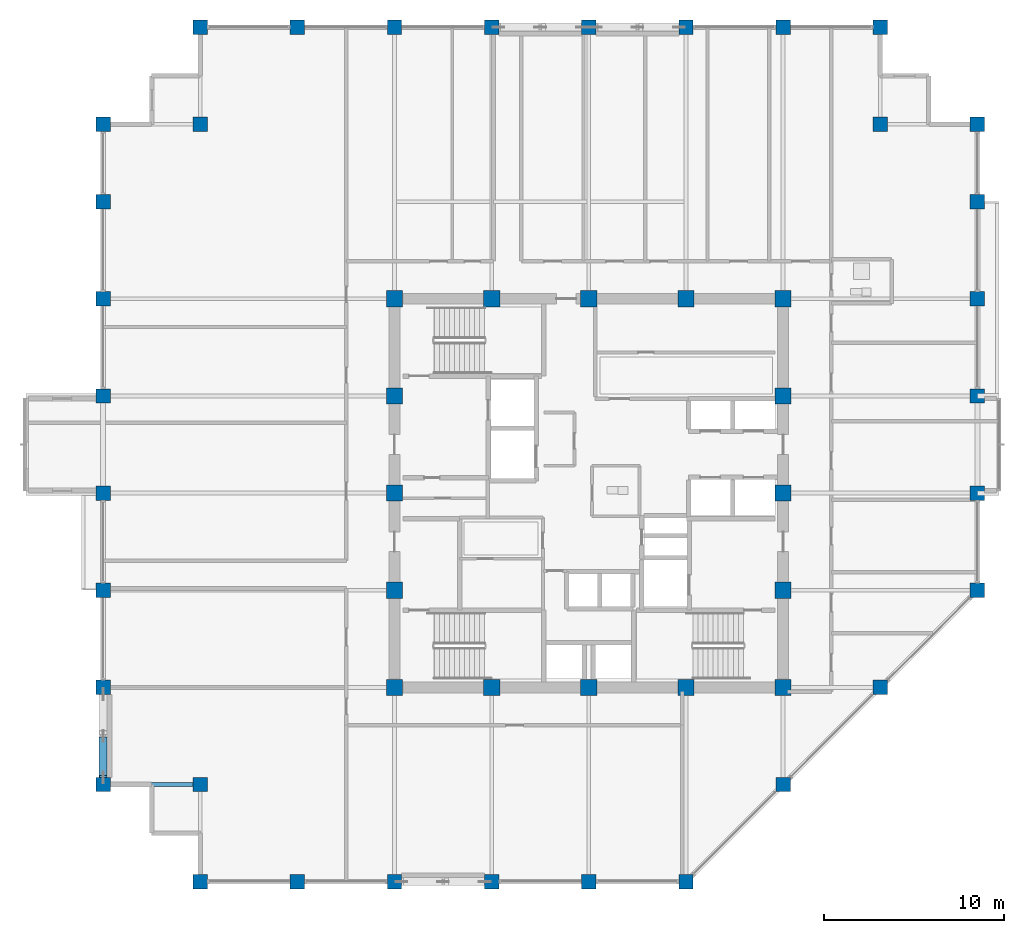
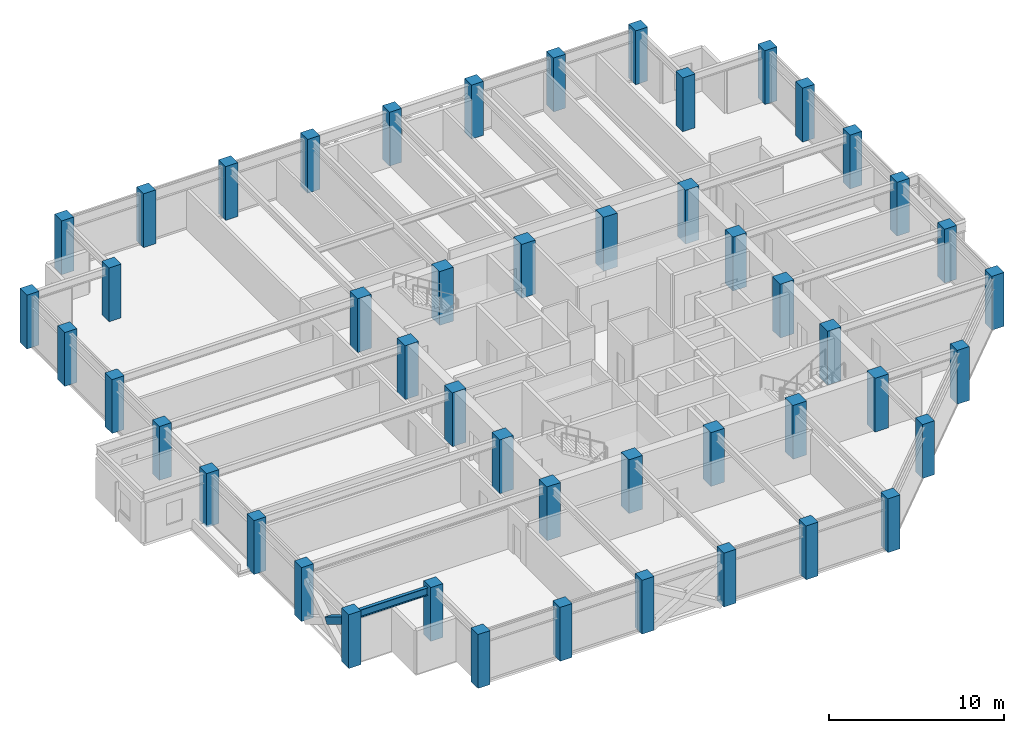
# One storey, part 1 of 28: 49 columns, 1 beam, 1 member.
"""IFC4 building model written with IfcOpenShell, lengths in metres."""

from ifc_helpers import new_model, si_unit, direction, frame, origin, origin_2d, place, context, subcontext, project, spatial, rectangle, hollow_rectangle, i_section, extrude, material, material_profile, profile_set, type_object, element, save


model = new_model("IFC4")

# Units and contexts
model_context = context("Model", 3, precision=1e-05, world=origin(), true_north=direction((0.0, 1.0)))
body_context = subcontext(model_context, "Body", "Model", "MODEL_VIEW")
ifc_project = project(units=[si_unit("LENGTHUNIT", "METRE"), si_unit("AREAUNIT", "SQUARE_METRE"), si_unit("VOLUMEUNIT", "CUBIC_METRE"), si_unit("PLANEANGLEUNIT", "RADIAN"), si_unit("MASSUNIT", "GRAM", prefix="KILO")], contexts=[model_context])

# Site, building, storey
site_placement = place(None, origin())
site = spatial("IfcSite", under=ifc_project, at=site_placement, CompositionType="ELEMENT")
building_placement = place(site_placement, origin())
building = spatial("IfcBuilding", under=site, at=building_placement, Name="Surkhivell Harbour Commons", CompositionType="ELEMENT")
storey_placement = place(building_placement, frame((0.0, 0.0, 238.5)))
storey = spatial("IfcBuildingStorey", under=building, at=storey_placement, Name="L62", CompositionType="ELEMENT", Elevation=238.5)

# Columns
ifc_material_1 = material(Name="Concrete C60/75", Category="concrete")
ifc_material_profile_1 = material_profile(ifc_material_1, rectangle(XDim=0.89990234375, YDim=0.89990234375, at=origin_2d()), Name="RC-COL-900x900")
ifc_profile_set_1 = profile_set([ifc_material_profile_1], Name="Concrete C60/75")
column_type_1 = type_object("IfcColumnType", Name="COL-TUBE-Z3A", PredefinedType="COLUMN", material=ifc_profile_set_1)
for number, where, z_axis, x_axis, name in (
    (1, (-10.800048828125, -10.800048828125, 0.0), (0.0, 0.0, 1.0), (1.0, 0.0, 0.0), "L62 Column CT-3A (-10.8,-10.8)"),
    (2, (-10.800048828125, -5.39990234375, 0.0), (0.0, 0.0, 1.0), (1.0, 0.0, 0.0), "L62 Column CT-3A (-10.8,-5.4)"),
    (3, (-10.800048828125, 0.0, 0.0), (0.0, 0.0, 1.0), (1.0, 0.0, 0.0), "L62 Column CT-3A (-10.8,0.0)"),
    (4, (-10.800048828125, 5.39990234375, 0.0), (0.0, 0.0, 1.0), (1.0, 0.0, 0.0), "L62 Column CT-3A (-10.8,5.4)"),
    (5, (-10.800048828125, 10.800048828125, 0.0), (0.0, 0.0, 1.0), (1.0, 0.0, 0.0), "L62 Column CT-3A (-10.8,10.8)"),
    (6, (-5.39990234375, -10.800048828125, 0.0), (0.0, 0.0, 1.0), (1.0, 0.0, 0.0), "L62 Column CT-3A (-5.4,-10.8)"),
    (7, (-5.39990234375, 10.800048828125, 0.0), (0.0, 0.0, 1.0), (1.0, 0.0, 0.0), "L62 Column CT-3A (-5.4,10.8)"),
    (8, (0.0, -10.800048828125, 0.0), (0.0, 0.0, 1.0), (1.0, 0.0, 0.0), "L62 Column CT-3A (0.0,-10.8)"),
    (9, (0.0, 10.800048828125, 0.0), (0.0, 0.0, 1.0), (1.0, 0.0, 0.0), "L62 Column CT-3A (0.0,10.8)"),
    (10, (5.39990234375, -10.800048828125, 0.0), (0.0, 0.0, 1.0), (1.0, 0.0, 0.0), "L62 Column CT-3A (5.4,-10.8)"),
    (11, (5.39990234375, 10.800048828125, 0.0), (0.0, 0.0, 1.0), (1.0, 0.0, 0.0), "L62 Column CT-3A (5.4,10.8)"),
    (12, (10.800048828125, -10.800048828125, 0.0), (0.0, 0.0, 1.0), (1.0, 0.0, 0.0), "L62 Column CT-3A (10.8,-10.8)"),
    (13, (10.800048828125, -5.39990234375, 0.0), (0.0, 0.0, 1.0), (1.0, 0.0, 0.0), "L62 Column CT-3A (10.8,-5.4)"),
    (14, (10.800048828125, 0.0, 0.0), (0.0, 0.0, 1.0), (1.0, 0.0, 0.0), "L62 Column CT-3A (10.8,0.0)"),
    (15, (10.800048828125, 5.39990234375, 0.0), (0.0, 0.0, 1.0), (1.0, 0.0, 0.0), "L62 Column CT-3A (10.8,5.4)"),
    (16, (10.800048828125, 10.800048828125, 0.0), (0.0, 0.0, 1.0), (1.0, 0.0, 0.0), "L62 Column CT-3A (10.8,10.8)"),
):
    element("IfcColumn", number, at=place(storey_placement, frame(where, z_axis=z_axis, x_axis=x_axis)), inside=storey, type_object=column_type_1, Name=name, PredefinedType="COLUMN", context=body_context, shape_type="SweptSolid", body=[
        extrude(rectangle(XDim=0.89990234375, YDim=0.89990234375, at=origin_2d()), origin(), (0.0, 0.0, 1.0), 3.75),
    ])
ifc_material_2 = material(Name="Concrete C50/60", Category="concrete")
ifc_material_profile_2 = material_profile(ifc_material_2, rectangle(XDim=0.800048828125, YDim=0.800048828125, at=origin_2d()), Name="RC-COL-800x800")
ifc_profile_set_2 = profile_set([ifc_material_profile_2], Name="Concrete C50/60")
column_type_2 = type_object("IfcColumnType", Name="COL-TUBE-Z3B", PredefinedType="COLUMN", material=ifc_profile_set_2)
for number, where, z_axis, x_axis, name in (
    (17, (-27.0, -16.199951171875, 0.0), (0.0, 0.0, 1.0), (1.0, 0.0, 0.0), "L62 Column CT-3B (-27.0,-16.2)"),
    (18, (-27.0, -10.800048828125, 0.0), (0.0, 0.0, 1.0), (1.0, 0.0, 0.0), "L62 Column CT-3B (-27.0,-10.8)"),
    (19, (-27.0, -5.39990234375, 0.0), (0.0, 0.0, 1.0), (1.0, 0.0, 0.0), "L62 Column CT-3B (-27.0,-5.4)"),
    (20, (-27.0, 0.0, 0.0), (0.0, 0.0, 1.0), (1.0, 0.0, 0.0), "L62 Column CT-3B (-27.0,0.0)"),
    (21, (-27.0, 5.39990234375, 0.0), (0.0, 0.0, 1.0), (1.0, 0.0, 0.0), "L62 Column CT-3B (-27.0,5.4)"),
    (22, (-27.0, 10.800048828125, 0.0), (0.0, 0.0, 1.0), (1.0, 0.0, 0.0), "L62 Column CT-3B (-27.0,10.8)"),
    (23, (-27.0, 16.199951171875, 0.0), (0.0, 0.0, 1.0), (1.0, 0.0, 0.0), "L62 Column CT-3B (-27.0,16.2)"),
    (24, (-27.0, 20.5, 0.0), (0.0, 0.0, 1.0), (1.0, 0.0, 0.0), "L62 Column CT-3B (-27.0,20.5)"),
    (25, (-21.60009765625, -21.60009765625, 0.0), (0.0, 0.0, 1.0), (1.0, 0.0, 0.0), "L62 Column CT-3B (-21.6,-21.6)"),
    (26, (-21.60009765625, -16.199951171875, 0.0), (0.0, 0.0, 1.0), (1.0, 0.0, 0.0), "L62 Column CT-3B (-21.6,-16.2)"),
    (27, (-21.60009765625, 20.5, 0.0), (0.0, 0.0, 1.0), (1.0, 0.0, 0.0), "L62 Column CT-3B (-21.6,20.5)"),
    (28, (-21.60009765625, 25.89990234375, 0.0), (0.0, 0.0, 1.0), (1.0, 0.0, 0.0), "L62 Column CT-3B (-21.6,25.9)"),
    (29, (-16.199951171875, -21.60009765625, 0.0), (0.0, 0.0, 1.0), (1.0, 0.0, 0.0), "L62 Column CT-3B (-16.2,-21.6)"),
    (30, (-16.199951171875, 25.89990234375, 0.0), (0.0, 0.0, 1.0), (1.0, 0.0, 0.0), "L62 Column CT-3B (-16.2,25.9)"),
    (31, (-10.800048828125, -21.60009765625, 0.0), (0.0, 0.0, 1.0), (1.0, 0.0, 0.0), "L62 Column CT-3B (-10.8,-21.6)"),
    (32, (-10.800048828125, 25.89990234375, 0.0), (0.0, 0.0, 1.0), (1.0, 0.0, 0.0), "L62 Column CT-3B (-10.8,25.9)"),
    (33, (-5.39990234375, -21.60009765625, 0.0), (0.0, 0.0, 1.0), (1.0, 0.0, 0.0), "L62 Column CT-3B (-5.4,-21.6)"),
    (34, (-5.39990234375, 25.89990234375, 0.0), (0.0, 0.0, 1.0), (1.0, 0.0, 0.0), "L62 Column CT-3B (-5.4,25.9)"),
    (35, (0.0, -21.60009765625, 0.0), (0.0, 0.0, 1.0), (1.0, 0.0, 0.0), "L62 Column CT-3B (-0.0,-21.6)"),
    (36, (0.0, 25.89990234375, 0.0), (0.0, 0.0, 1.0), (1.0, 0.0, 0.0), "L62 Column CT-3B (-0.0,25.9)"),
    (37, (5.39990234375, -21.60009765625, 0.0), (0.0, 0.0, 1.0), (1.0, 0.0, 0.0), "L62 Column CT-3B (5.4,-21.6)"),
    (38, (5.39990234375, 25.89990234375, 0.0), (0.0, 0.0, 1.0), (1.0, 0.0, 0.0), "L62 Column CT-3B (5.4,25.9)"),
    (39, (10.800048828125, -16.199951171875, 0.0), (0.0, 0.0, 1.0), (1.0, 0.0, 0.0), "L62 Column CT-3B (10.8,-16.2)"),
    (40, (10.800048828125, 25.89990234375, 0.0), (0.0, 0.0, 1.0), (1.0, 0.0, 0.0), "L62 Column CT-3B (10.8,25.9)"),
    (41, (16.199951171875, -10.800048828125, 0.0), (0.0, 0.0, 1.0), (1.0, 0.0, 0.0), "L62 Column CT-3B (16.2,-10.8)"),
    (42, (16.199951171875, 20.5, 0.0), (0.0, 0.0, 1.0), (1.0, 0.0, 0.0), "L62 Column CT-3B (16.2,20.5)"),
    (43, (16.199951171875, 25.89990234375, 0.0), (0.0, 0.0, 1.0), (1.0, 0.0, 0.0), "L62 Column CT-3B (16.2,25.9)"),
    (44, (21.60009765625, -5.39990234375, 0.0), (0.0, 0.0, 1.0), (1.0, 0.0, 0.0), "L62 Column CT-3B (21.6,-5.4)"),
    (45, (21.60009765625, 0.0, 0.0), (0.0, 0.0, 1.0), (1.0, 0.0, 0.0), "L62 Column CT-3B (21.6,0.0)"),
    (46, (21.60009765625, 5.39990234375, 0.0), (0.0, 0.0, 1.0), (1.0, 0.0, 0.0), "L62 Column CT-3B (21.6,5.4)"),
    (47, (21.60009765625, 10.800048828125, 0.0), (0.0, 0.0, 1.0), (1.0, 0.0, 0.0), "L62 Column CT-3B (21.6,10.8)"),
    (48, (21.60009765625, 16.199951171875, 0.0), (0.0, 0.0, 1.0), (1.0, 0.0, 0.0), "L62 Column CT-3B (21.6,16.2)"),
    (49, (21.60009765625, 20.5, 0.0), (0.0, 0.0, 1.0), (1.0, 0.0, 0.0), "L62 Column CT-3B (21.6,20.5)"),
):
    element("IfcColumn", number, at=place(storey_placement, frame(where, z_axis=z_axis, x_axis=x_axis)), inside=storey, type_object=column_type_2, Name=name, PredefinedType="COLUMN", context=body_context, shape_type="SweptSolid", body=[
        extrude(rectangle(XDim=0.800048828125, YDim=0.800048828125, at=origin_2d()), origin(), (0.0, 0.0, 1.0), 3.75),
    ])

# Beam
ifc_material_3 = material(Name="Steel S355", Category="steel")
ifc_material_profile_3 = material_profile(ifc_material_3, i_section(OverallWidth=0.2119140625, OverallDepth=0.5439453125, WebThickness=0.0126953125, FlangeThickness=0.021240234375, at=origin_2d()), Name="UB533x210x122")
ifc_profile_set_3 = profile_set([ifc_material_profile_3], Name="Steel S355")
beam_type = type_object("IfcBeamType", Name="BM-GRD-533A", PredefinedType="BEAM", material=ifc_profile_set_3)
beam_placement = place(storey_placement, frame((-27.0, -16.199951171875, 3.298095703125), z_axis=(1.0, 0.0, 0.0), x_axis=(0.0, 1.0, 0.0)))
element("IfcBeam", 50, at=beam_placement, inside=storey, type_object=beam_type, Name="L62 Floor Girder (-27.0,-16.2)", PredefinedType="BEAM", context=body_context, shape_type="SweptSolid", body=[
    extrude(i_section(OverallWidth=0.2119140625, OverallDepth=0.5439453125, WebThickness=0.0126953125, FlangeThickness=0.021240234375, at=origin_2d()), origin(), (0.0, 0.0, 1.0), 5.39990234375),
])

# Member
ifc_material_4 = material(Name="Steel S460", Category="steel")
ifc_material_profile_4 = material_profile(ifc_material_4, hollow_rectangle(XDim=0.449951171875, YDim=0.449951171875, WallThickness=0.02197265625, at=origin_2d()), Name="SHS450x450x22")
ifc_profile_set_4 = profile_set([ifc_material_profile_4], Name="Steel S460")
member_type = type_object("IfcMemberType", Name="MEM-BRC-SHS450", PredefinedType="BRACE", material=ifc_profile_set_4)
member_placement = place(storey_placement, frame((-27.0, -13.684814453125, 1.517578125), z_axis=(0.0, -0.856017753989, 0.516946423584), x_axis=(1.0, 0.0, 0.0)))
element("IfcMember", 51, at=member_placement, inside=storey, type_object=member_type, Name="L62 Perimeter Mega-Brace MB- 12", PredefinedType="BRACE", context=body_context, shape_type="SweptSolid", body=[
    extrude(hollow_rectangle(XDim=0.449951171875, YDim=0.449951171875, WallThickness=0.02197265625, at=origin_2d()), origin(), (0.0, 0.0, 1.0), 2.488525390625),
])

save(model, "model.ifc")
